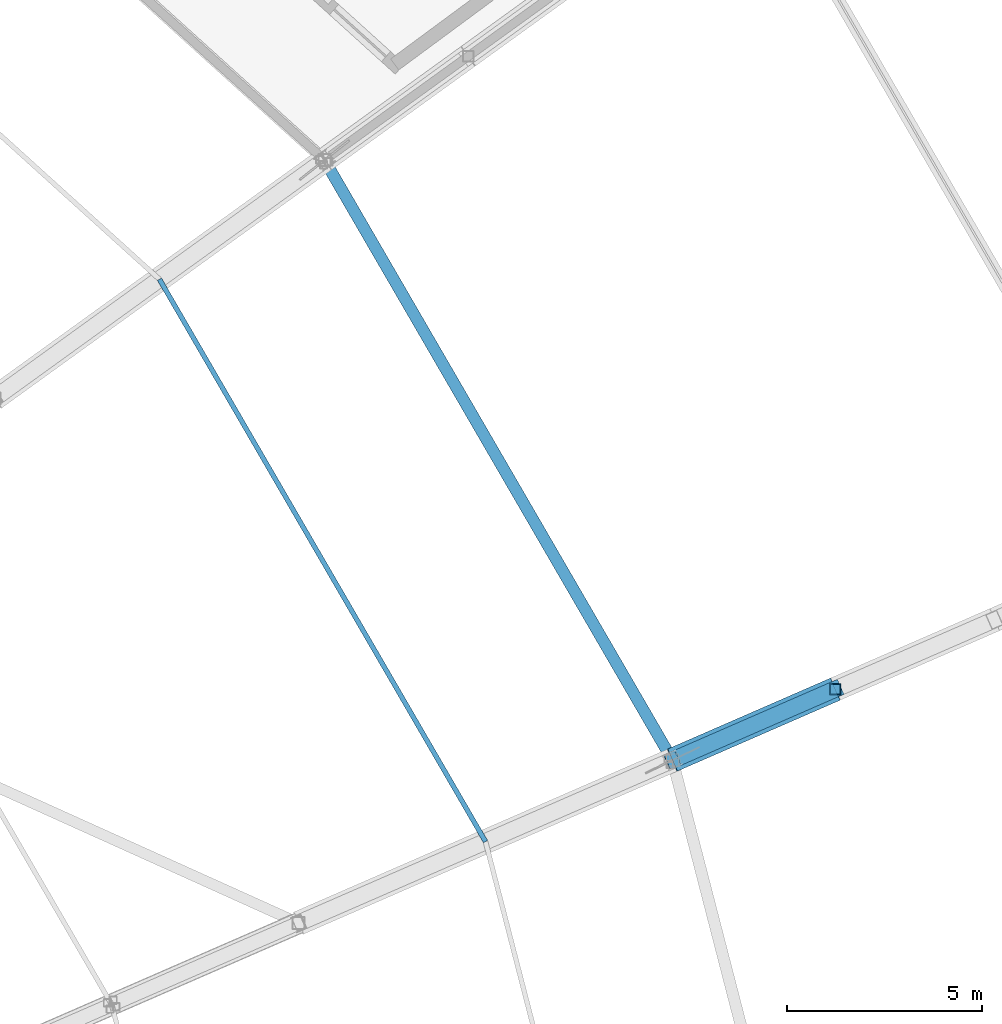
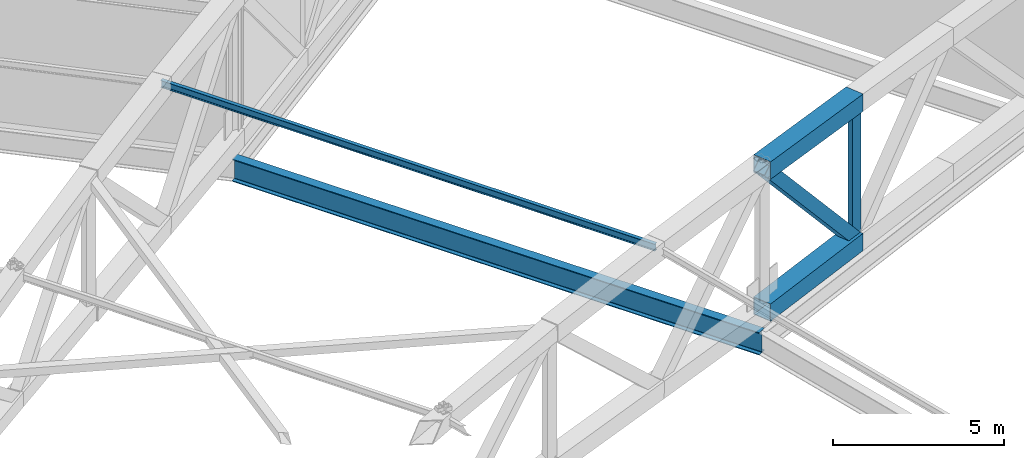
# One storey, part 64 of 162: 5 members, 1 beam.
"""IFC4 building model written with IfcOpenShell, lengths in metres."""

from ifc_helpers import new_model, si_unit, direction, frame, origin, origin_2d, place, context, subcontext, project, spatial, hollow_rectangle, i_section, extrude, material, material_profile, profile_set, type_object, element, save


model = new_model("IFC4")

# Units and contexts
model_context = context("Model", 3, precision=1e-05, world=origin(), true_north=direction((0.0, 1.0)))
body_context = subcontext(model_context, "Body", "Model", "MODEL_VIEW")
ifc_project = project(units=[si_unit("LENGTHUNIT", "METRE"), si_unit("AREAUNIT", "SQUARE_METRE"), si_unit("VOLUMEUNIT", "CUBIC_METRE"), si_unit("PLANEANGLEUNIT", "RADIAN"), si_unit("MASSUNIT", "GRAM", prefix="KILO")], contexts=[model_context])

# Site, building, storey
site_placement = place(None, origin())
site = spatial("IfcSite", under=ifc_project, at=site_placement, CompositionType="ELEMENT")
building_placement = place(site_placement, origin())
building = spatial("IfcBuilding", under=site, at=building_placement, Name="Kazemori Nagisa Stadium", CompositionType="ELEMENT")
storey_placement = place(building_placement, frame((0.0, 0.0, 36.719970703125)))
storey = spatial("IfcBuildingStorey", under=building, at=storey_placement, Name="RF", CompositionType="ELEMENT", Elevation=36.719970703125)

# Beam
ifc_material_1 = material(Name="Steel SN490B", Category="steel")
ifc_material_profile_1 = material_profile(ifc_material_1, i_section(OverallWidth=0.300048828125, OverallDepth=0.800048828125, WebThickness=0.013916015625, FlangeThickness=0.02587890625, FilletRadius=0.01806640625, at=origin_2d()), Name="H-800x300x14x26")
ifc_profile_set_1 = profile_set([ifc_material_profile_1], Name="Steel SN490B")
beam_type = type_object("IfcBeamType", Name="Beam_BG-H800", PredefinedType="BEAM", material=ifc_profile_set_1)
beam_placement = place(storey_placement, frame((199.44091796875, 135.32470703125, -0.679931640625), z_axis=(-0.501606704589, 0.865095783085, 0.0), x_axis=(-0.865095783085, -0.501606704589, 0.0)))
element("IfcBeam", 1, at=beam_placement, inside=storey, type_object=beam_type, Name="Ring girder BG-H800 RF R2-03", PredefinedType="BEAM", context=body_context, shape_type="SweptSolid", body=[
    extrude(i_section(OverallWidth=0.300048828125, OverallDepth=0.800048828125, WebThickness=0.013916015625, FlangeThickness=0.02587890625, FilletRadius=0.01806640625, at=origin_2d()), origin(), (0.0, 0.0, 1.0), 17.8125),
])

# Members
ifc_material_2 = material(Name="Steel STKR490", Category="steel")
ifc_material_profile_2 = material_profile(ifc_material_2, hollow_rectangle(XDim=0.419921875, YDim=0.419921875, WallThickness=0.01611328125, at=origin_2d()), Name="SHS-420x420x16")
ifc_profile_set_2 = profile_set([ifc_material_profile_2], Name="Steel STKR490")
member_type_1 = type_object("IfcMemberType", Name="Member_TB-SHS420", PredefinedType="BRACE", material=ifc_profile_set_2)
member_1_placement = place(storey_placement, frame((203.61865234375, 137.145751953125, 0.43994140625), z_axis=(-0.609480709144, -0.265668338564, 0.746962916794), x_axis=(0.39958195767, -0.916697474145, 0.0)))
element("IfcMember", 2, at=member_1_placement, inside=storey, type_object=member_type_1, Name="Roof space truss diagonal RT-03-3", PredefinedType="BRACE", context=body_context, shape_type="SweptSolid", body=[
    extrude(hollow_rectangle(XDim=0.419921875, YDim=0.419921875, WallThickness=0.01611328125, at=origin_2d()), origin(), (0.0, 0.0, 1.0), 6.8544921875),
])
ifc_material_profile_3 = material_profile(ifc_material_2, hollow_rectangle(XDim=0.6201171875, YDim=0.6201171875, WallThickness=0.02197265625, at=origin_2d()), Name="SHS-620x620x22")
ifc_profile_set_3 = profile_set([ifc_material_profile_3], Name="Steel STKR490")
member_type_2 = type_object("IfcMemberType", Name="Member_TC-SHS620", PredefinedType="CHORD", material=ifc_profile_set_3)
member_2_placement = place(storey_placement, frame((203.61865234375, 137.145751953125, 5.419921875), z_axis=(-0.916264399752, -0.399393183599, 0.030734909155), x_axis=(0.39958195767, -0.916697474145, 0.0)))
element("IfcMember", 3, at=member_2_placement, inside=storey, type_object=member_type_2, Name="Roof space truss top chord RT-03-3", PredefinedType="CHORD", context=body_context, shape_type="SweptSolid", body=[
    extrude(hollow_rectangle(XDim=0.6201171875, YDim=0.6201171875, WallThickness=0.02197265625, at=origin_2d()), origin(), (0.0, 0.0, 1.0), 4.5595703125),
])
member_3_placement = place(storey_placement, frame((203.61865234375, 137.145751953125, 0.43994140625), z_axis=(-0.916662098113, -0.399566537507, 0.008785214124), x_axis=(0.39958195767, -0.916697474145, 0.0)))
element("IfcMember", 4, at=member_3_placement, inside=storey, type_object=member_type_2, Name="Roof space truss bottom chord RT-03-3", PredefinedType="CHORD", context=body_context, shape_type="SweptSolid", body=[
    extrude(hollow_rectangle(XDim=0.6201171875, YDim=0.6201171875, WallThickness=0.02197265625, at=origin_2d()), origin(), (0.0, 0.0, 1.0), 4.5576171875),
])
ifc_material_profile_4 = material_profile(ifc_material_1, i_section(OverallWidth=0.125, OverallDepth=0.25, WebThickness=0.006103515625, FlangeThickness=0.009033203125, FilletRadius=0.008056640625, at=origin_2d()), Name="H-250x125x6x9")
ifc_profile_set_4 = profile_set([ifc_material_profile_4], Name="Steel SN490B")
member_type_3 = type_object("IfcMemberType", Name="Member_TP-H250", PredefinedType="PURLIN", material=ifc_profile_set_4)
member_4_placement = place(storey_placement, frame((194.641357421875, 133.232177734375, 5.659912109375), z_axis=(-0.501614984179, 0.86508841907, 0.002105905473), x_axis=(-0.86509033734, -0.501616096473, 0.0)))
element("IfcMember", 5, at=member_4_placement, inside=storey, type_object=member_type_3, Name="Roof purlin TP-H250 B03-P4", PredefinedType="PURLIN", context=body_context, shape_type="SweptSolid", body=[
    extrude(i_section(OverallWidth=0.125, OverallDepth=0.25, WebThickness=0.006103515625, FlangeThickness=0.009033203125, FilletRadius=0.008056640625, at=origin_2d()), origin(), (0.0, 0.0, 1.0), 16.694091796875),
])
ifc_material_profile_5 = material_profile(ifc_material_2, hollow_rectangle(XDim=0.280029296875, YDim=0.280029296875, WallThickness=0.010009765625, at=origin_2d()), Name="SHS-280x280x10")
ifc_profile_set_5 = profile_set([ifc_material_profile_5], Name="Steel STKR490")
member_type_4 = type_object("IfcMemberType", Name="Member_TS-SHS280", PredefinedType="STRUT", material=ifc_profile_set_5)
member_5_placement = place(storey_placement, frame((203.61865234375, 137.145751953125, 0.43994140625), z_axis=(0.0, 0.0, 1.0), x_axis=(1.0, 0.0, 0.0)))
element("IfcMember", 6, at=member_5_placement, inside=storey, type_object=member_type_4, Name="Roof space truss strut RT-03-3", PredefinedType="STRUT", context=body_context, shape_type="SweptSolid", body=[
    extrude(hollow_rectangle(XDim=0.280029296875, YDim=0.280029296875, WallThickness=0.010009765625, at=origin_2d()), origin(), (0.0, 0.0, 1.0), 4.97998046875),
])

save(model, "model.ifc")
